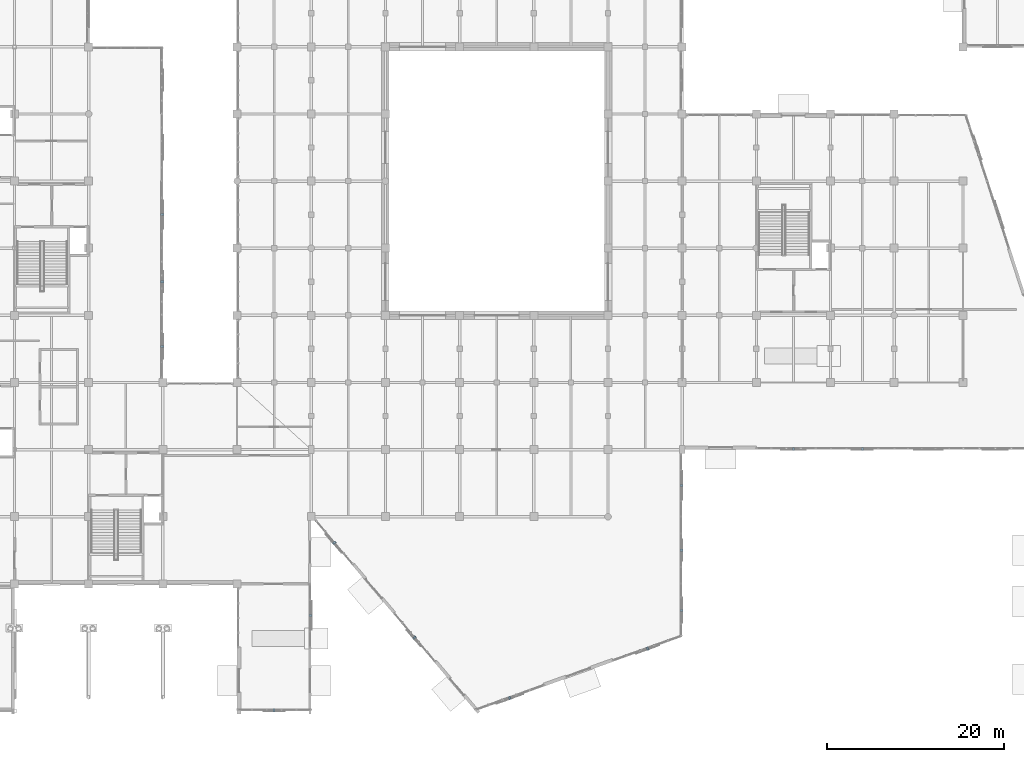
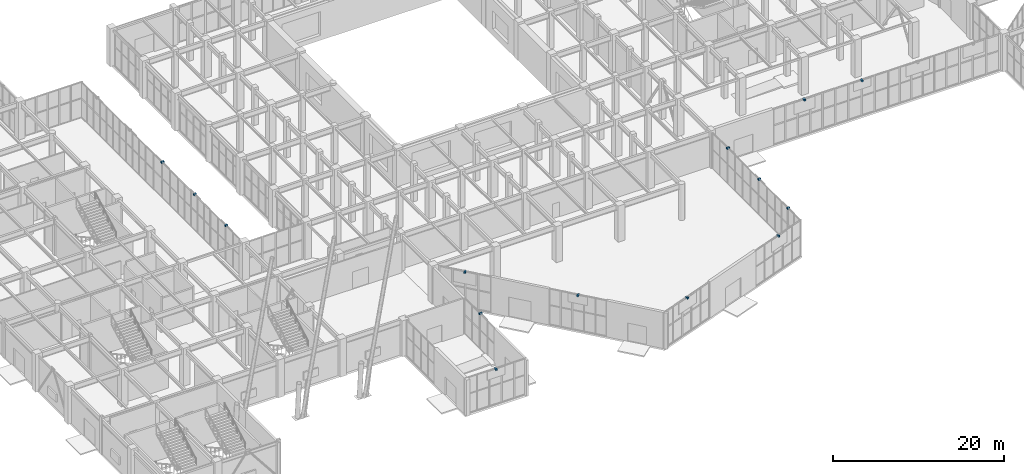
# One storey, part 129 of 139: 14 discrete accessories.
"""IFC4 building model written with IfcOpenShell, lengths in metres."""

from ifc_helpers import new_model, si_unit, direction, frame, origin, origin_2d, place, context, subcontext, project, spatial, rectangle, extrude, material, type_object, element, save


model = new_model("IFC4")

# Units and contexts
model_context = context("Model", 3, precision=1e-05, world=origin(), true_north=direction((0.0, 1.0)))
body_context = subcontext(model_context, "Body", "Model", "MODEL_VIEW")
ifc_project = project(units=[si_unit("LENGTHUNIT", "METRE"), si_unit("AREAUNIT", "SQUARE_METRE"), si_unit("VOLUMEUNIT", "CUBIC_METRE"), si_unit("PLANEANGLEUNIT", "RADIAN"), si_unit("MASSUNIT", "GRAM", prefix="KILO")], contexts=[model_context])

# Site, building, storey
site_placement = place(None, origin())
site = spatial("IfcSite", under=ifc_project, at=site_placement, CompositionType="ELEMENT")
building_placement = place(site_placement, origin())
building = spatial("IfcBuilding", under=site, at=building_placement, Name="Xicomal Pleat Aquarium", CompositionType="ELEMENT")
storey_placement = place(building_placement, origin())
storey = spatial("IfcBuildingStorey", under=building, at=storey_placement, Name="L01", CompositionType="ELEMENT", Elevation=0.0)

# Discrete accessories
ifc_material = material(Name="Stainless steel 316L", Category="steel")
discrete_accessory_type = type_object("IfcDiscreteAccessoryType", Name="ACC-BRK-STL", PredefinedType="BRACKET", material=ifc_material)
for number, where, z_axis, x_axis, name in (
    (1, (90.27294921875, 7.8759765625, 4.93994140625), (0.0, 0.0, 1.0), (-0.941176015256, -0.337916718003, 0.0), "L01 sunshade support bracket 1"),
    (2, (74.673095703125, 2.27587890625, 4.93994140625), (0.0, 0.0, 1.0), (-0.941176015256, -0.337916718003, 0.0), "L01 sunshade support bracket 2"),
    (3, (63.885986328125, 9.10107421875, 4.93994140625), (0.0, 0.0, 1.0), (-0.645590985448, 0.763683363384, 0.0), "L01 sunshade support bracket 3"),
    (4, (54.81005859375, 19.8359375, 4.93994140625), (0.0, 0.0, 1.0), (-0.645590985448, 0.763683363384, 0.0), "L01 sunshade support bracket 4"),
    (5, (52.1201171875, 11.60009765625, 4.93994140625), (0.0, 0.0, 1.0), (0.0, -1.0, 0.0), "L01 sunshade support bracket 5"),
    (6, (48.0, 0.8798828125, 4.93994140625), (0.0, 0.0, 1.0), (-1.0, 0.0, 0.0), "L01 sunshade support bracket 6"),
    (7, (35.320068359375, 57.0, 4.93994140625), (0.0, 0.0, 1.0), (0.0, -1.0, 0.0), "L01 sunshade support bracket 14"),
    (8, (35.320068359375, 49.39990234375, 4.93994140625), (0.0, 0.0, 1.0), (0.0, -1.0, 0.0), "L01 sunshade support bracket 15"),
    (9, (35.320068359375, 42.06005859375, 4.93994140625), (0.0, 0.0, 1.0), (0.0, -1.0, 0.0), "L01 sunshade support bracket 16"),
    (10, (114.60009765625, 30.47998046875, 4.93994140625), (0.0, 0.0, 1.0), (-1.0, 0.0, 0.0), "L01 sunshade support bracket 24"),
    (11, (106.800048828125, 30.47998046875, 4.93994140625), (0.0, 0.0, 1.0), (-1.0, 0.0, 0.0), "L01 sunshade support bracket 25"),
    (12, (94.1201171875, 26.340087890625, 4.93994140625), (0.0, 0.0, 1.0), (0.0, -1.0, 0.0), "L01 sunshade support bracket 26"),
    (13, (94.1201171875, 19.0, 4.93994140625), (0.0, 0.0, 1.0), (0.0, -1.0, 0.0), "L01 sunshade support bracket 27"),
    (14, (94.1201171875, 12.199951171875, 4.93994140625), (0.0, 0.0, 1.0), (0.0, -1.0, 0.0), "L01 sunshade support bracket 28"),
):
    element("IfcDiscreteAccessory", number, at=place(storey_placement, frame(where, z_axis=z_axis, x_axis=x_axis)), inside=storey, type_object=discrete_accessory_type, Name=name, PredefinedType="BRACKET", context=body_context, shape_type="SweptSolid", body=[
        extrude(rectangle(XDim=0.239990234375, YDim=0.360107421875, at=origin_2d()), origin(), (0.0, 0.0, 1.0), 0.239990234375),
    ])

save(model, "model.ifc")
